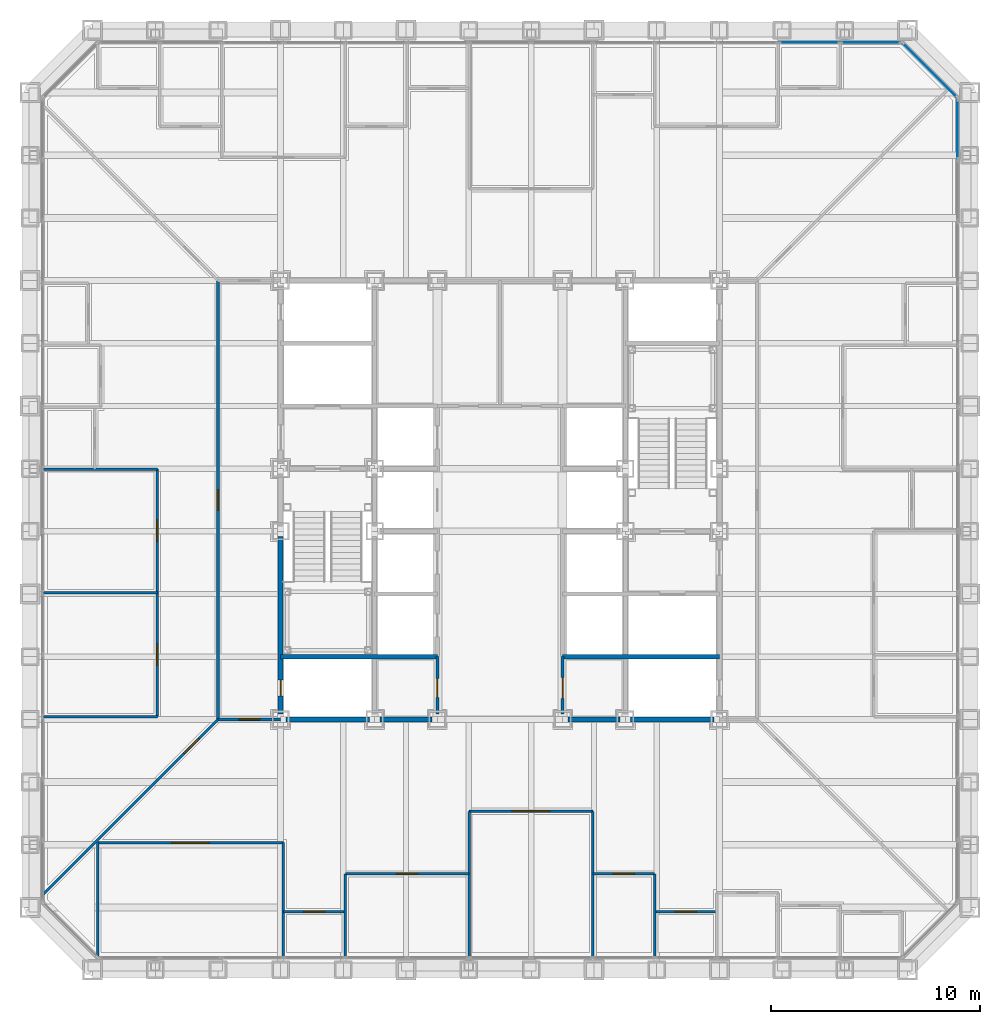
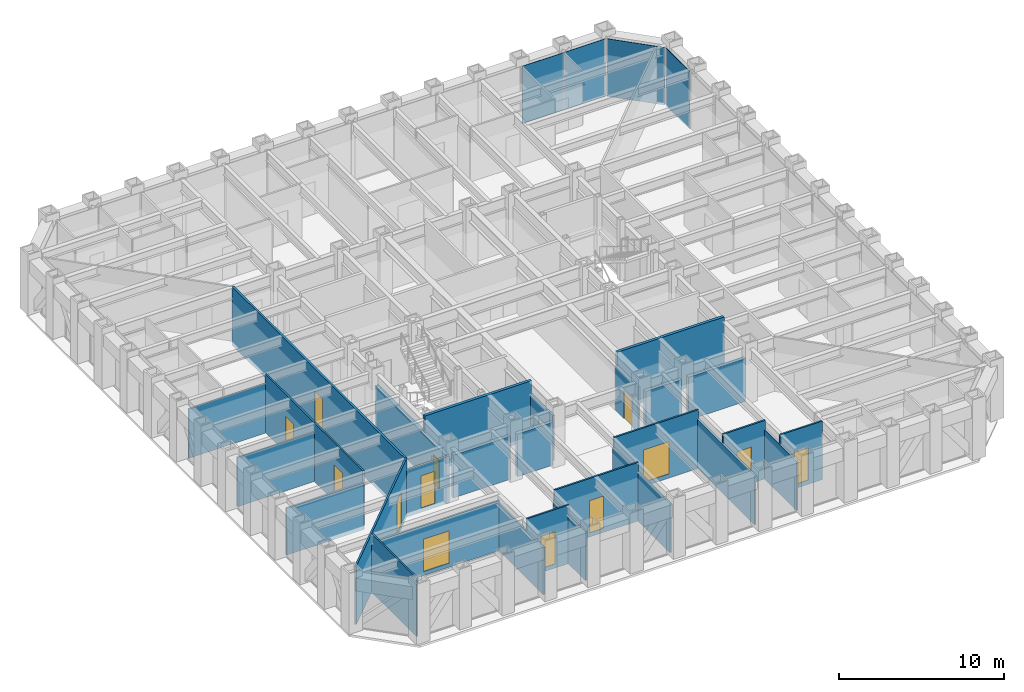
# One storey, part 8 of 17: 29 walls, 14 doors, 4 plates, 14 openings, 3 elements without a shape of their own.
"""IFC4 building model written with IfcOpenShell, lengths in metres."""

from ifc_helpers import new_model, si_unit, direction, frame, frame_2d, origin, origin_2d, place, context, subcontext, project, spatial, rectangle, extrude, material, layer, layer_set, type_object, element, fill, aggregate, save


model = new_model("IFC4")

# Units and contexts
model_context = context("Model", 3, precision=1e-05, world=origin(), true_north=direction((0.0, 1.0)))
body_context = subcontext(model_context, "Body", "Model", "MODEL_VIEW")
ifc_project = project(units=[si_unit("LENGTHUNIT", "METRE"), si_unit("AREAUNIT", "SQUARE_METRE"), si_unit("VOLUMEUNIT", "CUBIC_METRE"), si_unit("PLANEANGLEUNIT", "RADIAN"), si_unit("MASSUNIT", "GRAM", prefix="KILO")], contexts=[model_context])

# Site, building, storey
site_placement = place(None, origin())
site = spatial("IfcSite", under=ifc_project, at=site_placement, CompositionType="ELEMENT")
building_placement = place(site_placement, origin())
building = spatial("IfcBuilding", under=site, at=building_placement, Name="Chuquiago Exchange Tower", CompositionType="ELEMENT")
storey_placement = place(building_placement, frame((0.0, 0.0, 87.300048828125)))
storey = spatial("IfcBuildingStorey", under=building, at=storey_placement, Name="L18", CompositionType="ELEMENT", Elevation=87.300048828125)

# Curtain wall, plate
ifc_material_1 = material(Name="Aluminium curtain wall system", Category="aluminium")
ifc_layer_1 = layer(ifc_material_1, 0.25)
ifc_layer_set_1 = layer_set([ifc_layer_1], Name="CW1 trading floor curtain wall")
curtain_wall_type_1 = type_object("IfcCurtainWallType", Name="CW1 trading floor curtain wall", PredefinedType="NOTDEFINED", material=ifc_layer_set_1)
curtain_wall_1_placement = place(storey_placement, origin())
curtain_wall_1 = element("IfcCurtainWall", 1, at=curtain_wall_1_placement, inside=storey, type_object=curtain_wall_type_1, Name="CW1 curtain wall L18", PredefinedType="NOTDEFINED")
ifc_material_2 = material(Name="Insulated spandrel panel, pale anodised aluminium", Category="aluminium")
ifc_layer_2 = layer(ifc_material_2, 0.031982421875)
ifc_layer_set_2 = layer_set([ifc_layer_2], Name="CW1-P spandrel panel 32")
plate_type_1 = type_object("IfcPlateType", Name="CW1-P spandrel panel 32", PredefinedType="CURTAIN_PANEL", material=ifc_layer_set_2)
plate_1_placement = place(storey_placement, frame((44.39990234375, 40.251953125, -0.22509765625), z_axis=(0.0, 0.0, 1.0), x_axis=(0.0, 1.0, 0.0)))
plate_1 = element("IfcPlate", 2, at=plate_1_placement, type_object=plate_type_1, Name="CW1 panel 13.1", PredefinedType="CURTAIN_PANEL", context=body_context, shape_type="SweptSolid", body=[
    extrude(rectangle(XDim=2.849365234375, YDim=0.031982421875, at=origin_2d()), origin(), (0.0, 0.0, 1.0), 4.264892578125),
])
aggregate(curtain_wall_1, [plate_1])

# Curtain wall, plates
curtain_wall_2_placement = place(storey_placement, origin())
curtain_wall_2 = element("IfcCurtainWall", 3, at=curtain_wall_2_placement, inside=storey, type_object=curtain_wall_type_1, Name="CW1 curtain wall L18", PredefinedType="NOTDEFINED")
plate_2_placement = place(storey_placement, frame((40.251953125, 44.39990234375, -0.22509765625), z_axis=(0.0, 0.0, 1.0), x_axis=(-1.0, 0.0, 0.0)))
plate_2 = element("IfcPlate", 4, at=plate_2_placement, type_object=plate_type_1, Name="CW1 panel 1.1", PredefinedType="CURTAIN_PANEL", context=body_context, shape_type="SweptSolid", body=[
    extrude(rectangle(XDim=2.849365234375, YDim=0.031982421875, at=origin_2d()), origin(), (0.0, 0.0, 1.0), 4.264892578125),
])
plate_3_placement = place(storey_placement, frame((37.308837890625, 44.39990234375, -0.22509765625), z_axis=(0.0, 0.0, 1.0), x_axis=(-1.0, 0.0, 0.0)))
plate_3 = element("IfcPlate", 5, at=plate_3_placement, type_object=plate_type_1, Name="CW1 panel 2.1", PredefinedType="CURTAIN_PANEL", context=body_context, shape_type="SweptSolid", body=[
    extrude(rectangle(XDim=2.88671875, YDim=0.031982421875, at=origin_2d()), origin(), (0.0, 0.0, 1.0), 4.264892578125),
])
aggregate(curtain_wall_2, [plate_2, plate_3])

# Curtain wall, plate
ifc_material_3 = material(Name="Aluminium curtain wall system", Category="aluminium")
ifc_layer_3 = layer(ifc_material_3, 0.199951171875)
ifc_layer_set_3 = layer_set([ifc_layer_3], Name="CW3 facet curtain wall")
curtain_wall_type_2 = type_object("IfcCurtainWallType", Name="CW3 facet curtain wall", PredefinedType="NOTDEFINED", material=ifc_layer_set_3)
curtain_wall_3_placement = place(storey_placement, origin())
curtain_wall_3 = element("IfcCurtainWall", 6, at=curtain_wall_3_placement, inside=storey, type_object=curtain_wall_type_2, Name="CW3 curtain wall L18", PredefinedType="NOTDEFINED")
ifc_material_4 = material(Name="Insulated spandrel panel, pale anodised aluminium", Category="aluminium")
ifc_layer_4 = layer(ifc_material_4, 0.030029296875)
ifc_layer_set_4 = layer_set([ifc_layer_4], Name="CW3-P spandrel panel 30")
plate_type_2 = type_object("IfcPlateType", Name="CW3-P spandrel panel 30", PredefinedType="CURTAIN_PANEL", material=ifc_layer_set_4)
plate_4_placement = place(storey_placement, frame((43.07568359375, 43.07568359375, -0.235107421875), z_axis=(0.0, 0.0, 1.0), x_axis=(-0.707106781187, 0.707106781187, 0.0)))
plate_4 = element("IfcPlate", 7, at=plate_4_placement, type_object=plate_type_2, Name="CW3 panel 1.1", PredefinedType="CURTAIN_PANEL", context=body_context, shape_type="SweptSolid", body=[
    extrude(rectangle(XDim=3.615478515625, YDim=0.030029296875, at=origin_2d()), origin(), (0.0, 0.0, 1.0), 4.27490234375),
])
aggregate(curtain_wall_3, [plate_4])

# Wall, opening, door
ifc_material_5 = material(Name="Concrete masonry, fully grouted", Category="masonry")
ifc_layer_5 = layer(ifc_material_5, 0.25)
ifc_layer_set_5 = layer_set([ifc_layer_5], Name="W1 core wall 250")
wall_type_1 = type_object("IfcWallType", Name="W1 core wall 250", PredefinedType="SOLIDWALL", material=ifc_layer_set_5)
wall_1_placement = place(storey_placement, frame((12.0, 12.25, 0.0), z_axis=(0.0, 0.0, 1.0), x_axis=(0.0, 1.0, 0.0)))
wall_1 = element("IfcWall", 8, at=wall_1_placement, inside=storey, type_object=wall_type_1, Name="CW-L18-00-0", PredefinedType="SOLIDWALL", context=body_context, shape_type="SweptSolid", body=[
    extrude(rectangle(XDim=8.5, YDim=0.25, at=frame_2d((4.25, 0.0))), origin(), (0.0, 0.0, 1.0), 3.11279296875),
])
opening_1_placement = place(wall_1_placement, frame((0.875, 0.0, 0.0)))
opening_1 = element("IfcOpeningElement", 9, at=opening_1_placement, cuts=wall_1, Name="Opening L18-007", PredefinedType="OPENING", context=body_context, shape_type="SweptSolid", body=[
    extrude(rectangle(XDim=0.75, YDim=2.10009765625, at=frame_2d((0.375, 1.050048828125))), frame((0.0, 0.135009765625, 0.0), z_axis=(0.0, -1.0, 0.0), x_axis=(1.0, 0.0, 0.0)), (0.0, 0.0, 1.0), 0.27001953125),
])
ifc_material_6 = material(Name="Steel door, painted", Category="steel")
door_type_1 = type_object("IfcDoorType", Name="D6 riser access door 750x2100", OperationType="SINGLE_SWING_LEFT", PredefinedType="DOOR", material=ifc_material_6)
door_1_placement = place(opening_1_placement, origin())
door_1 = element("IfcDoor", 10, at=door_1_placement, inside=storey, type_object=door_type_1, Name="Riser RW1 door", OperationType="SINGLE_SWING_LEFT", OverallHeight=2.10009765625, OverallWidth=0.75, PredefinedType="DOOR", context=body_context, shape_type="SweptSolid", body=[
    extrude(rectangle(XDim=0.75, YDim=2.10009765625, at=frame_2d((0.375, 1.050048828125))), frame((0.0, 0.02490234375, 0.0), z_axis=(0.0, -1.0, 0.0), x_axis=(1.0, 0.0, 0.0)), (0.0, 0.0, 1.0), 0.050048828125),
])
fill(opening_1, door_1)

# Walls
wall_2_placement = place(storey_placement, frame((12.25, 12.0, 0.0), z_axis=(0.0, 0.0, 1.0), x_axis=(1.0, 0.0, 0.0)))
element("IfcWall", 11, at=wall_2_placement, inside=storey, type_object=wall_type_1, Name="CW-L18-01-0", PredefinedType="SOLIDWALL", context=body_context, shape_type="SweptSolid", body=[
    extrude(rectangle(XDim=4.0, YDim=0.25, at=frame_2d((2.0, 0.0))), origin(), (0.0, 0.0, 1.0), 3.181396484375),
])
for number, where, z_axis, x_axis, name in (
    (12, (16.75, 12.0, 0.0), (0.0, 0.0, 1.0), (1.0, 0.0, 0.0), "CW-L18-01-1"),
    (13, (25.75, 12.0, 0.0), (0.0, 0.0, 1.0), (1.0, 0.0, 0.0), "CW-L18-02-0"),
):
    element("IfcWall", number, at=place(storey_placement, frame(where, z_axis=z_axis, x_axis=x_axis)), inside=storey, type_object=wall_type_1, Name=name, PredefinedType="SOLIDWALL", context=body_context, shape_type="SweptSolid", body=[
        extrude(rectangle(XDim=2.5, YDim=0.25, at=frame_2d((1.25, 0.0))), origin(), (0.0, 0.0, 1.0), 3.181396484375),
    ])
wall_3_placement = place(storey_placement, frame((28.75, 12.0, 0.0), z_axis=(0.0, 0.0, 1.0), x_axis=(1.0, 0.0, 0.0)))
element("IfcWall", 14, at=wall_3_placement, inside=storey, type_object=wall_type_1, Name="CW-L18-02-1", PredefinedType="SOLIDWALL", context=body_context, shape_type="SweptSolid", body=[
    extrude(rectangle(XDim=4.0, YDim=0.25, at=frame_2d((2.0, 0.0))), origin(), (0.0, 0.0, 1.0), 3.181396484375),
])

# Wall, opening, door
ifc_material_7 = material(Name="Gypsum board on steel studs, acoustic insulation", Category="steel")
ifc_layer_6 = layer(ifc_material_7, 0.14990234375)
ifc_layer_set_6 = layer_set([ifc_layer_6], Name="W11 corridor wall 150")
wall_type_2 = type_object("IfcWallType", Name="W11 corridor wall 150", PredefinedType="PARTITIONING", material=ifc_layer_set_6)
wall_4_placement = place(storey_placement, frame((9.0, 12.0, -0.300048828125), z_axis=(0.0, 0.0, 1.0), x_axis=(0.0, 1.0, 0.0)))
wall_4 = element("IfcWall", 15, at=wall_4_placement, inside=storey, type_object=wall_type_2, Name="PW-L18-GW0", PredefinedType="PARTITIONING", context=body_context, shape_type="SweptSolid", body=[
    extrude(rectangle(XDim=21.0, YDim=0.14990234375, at=frame_2d((10.5, 0.0))), origin(), (0.0, 0.0, 1.0), 4.340087890625),
])
opening_2_placement = place(wall_4_placement, frame((10.0, 0.0, 0.300048828125)))
opening_2 = element("IfcOpeningElement", 16, at=opening_2_placement, cuts=wall_4, Name="Opening L18-047", PredefinedType="OPENING", context=body_context, shape_type="SweptSolid", body=[
    extrude(rectangle(XDim=1.0, YDim=2.39990234375, at=frame_2d((0.5, 1.199951171875))), frame((0.0, 0.0849609375, 0.0), z_axis=(0.0, -1.0, 0.0), x_axis=(1.0, 0.0, 0.0)), (0.0, 0.0, 1.0), 0.169921875),
])
ifc_material_8 = material(Name="Timber door, laminate faced", Category="wood")
door_type_2 = type_object("IfcDoorType", Name="D9 room door 1000x2400", OperationType="SINGLE_SWING_LEFT", PredefinedType="DOOR", material=ifc_material_8)
door_2_placement = place(opening_2_placement, origin())
door_2 = element("IfcDoor", 17, at=door_2_placement, inside=storey, type_object=door_type_2, Name="Team area door", OperationType="SINGLE_SWING_LEFT", OverallHeight=2.39990234375, OverallWidth=1.0, PredefinedType="DOOR", context=body_context, shape_type="SweptSolid", body=[
    extrude(rectangle(XDim=1.0, YDim=2.39990234375, at=frame_2d((0.5, 1.199951171875))), frame((0.0, 0.02490234375, 0.0), z_axis=(0.0, -1.0, 0.0), x_axis=(1.0, 0.0, 0.0)), (0.0, 0.0, 1.0), 0.050048828125),
])
fill(opening_2, door_2)

wall_5_placement = place(storey_placement, frame((9.0, 12.0, -0.300048828125), z_axis=(0.0, 0.0, 1.0), x_axis=(1.0, 0.0, 0.0)))
wall_5 = element("IfcWall", 18, at=wall_5_placement, inside=storey, type_object=wall_type_2, Name="PW-L18-GWS0", PredefinedType="PARTITIONING", context=body_context, shape_type="SweptSolid", body=[
    extrude(rectangle(XDim=3.0, YDim=0.14990234375, at=frame_2d((1.5, 0.0))), origin(), (0.0, 0.0, 1.0), 3.4814453125),
])
opening_3_placement = place(wall_5_placement, frame((1.0, 0.0, 0.300048828125)))
opening_3 = element("IfcOpeningElement", 19, at=opening_3_placement, cuts=wall_5, Name="Opening L18-049", PredefinedType="OPENING", context=body_context, shape_type="SweptSolid", body=[
    extrude(rectangle(XDim=1.0, YDim=2.39990234375, at=frame_2d((0.5, 1.199951171875))), frame((0.0, 0.0849609375, 0.0), z_axis=(0.0, -1.0, 0.0), x_axis=(1.0, 0.0, 0.0)), (0.0, 0.0, 1.0), 0.169921875),
])
door_3_placement = place(opening_3_placement, origin())
door_3 = element("IfcDoor", 20, at=door_3_placement, inside=storey, type_object=door_type_2, Name="Team area door", OperationType="SINGLE_SWING_RIGHT", OverallHeight=2.39990234375, OverallWidth=1.0, PredefinedType="DOOR", context=body_context, shape_type="SweptSolid", body=[
    extrude(rectangle(XDim=1.0, YDim=2.39990234375, at=frame_2d((0.5, 1.199951171875))), frame((0.0, 0.02490234375, 0.0), z_axis=(0.0, -1.0, 0.0), x_axis=(1.0, 0.0, 0.0)), (0.0, 0.0, 1.0), 0.050048828125),
])
fill(opening_3, door_3)

# Walls
ifc_material_9 = material(Name="Concrete masonry, fully grouted", Category="masonry")
ifc_layer_7 = layer(ifc_material_9, 0.199951171875)
ifc_layer_set_7 = layer_set([ifc_layer_7], Name="W2 shaft wall 200")
wall_type_3 = type_object("IfcWallType", Name="W2 shaft wall 200", PredefinedType="SOLIDWALL", material=ifc_layer_set_7)
for number, where, z_axis, x_axis, name in (
    (21, (12.0, 15.0, 0.0), (0.0, 0.0, 1.0), (1.0, 0.0, 0.0), "CW-L18-03-0"),
    (22, (25.5, 15.0, 0.0), (0.0, 0.0, 1.0), (1.0, 0.0, 0.0), "CW-L18-04-0"),
):
    element("IfcWall", number, at=place(storey_placement, frame(where, z_axis=z_axis, x_axis=x_axis)), inside=storey, type_object=wall_type_3, Name=name, PredefinedType="SOLIDWALL", context=body_context, shape_type="SweptSolid", body=[
        extrude(rectangle(XDim=7.5, YDim=0.199951171875, at=frame_2d((3.75, 0.0))), origin(), (0.0, 0.0, 1.0), 4.33984375),
    ])

# Wall, opening, door
ifc_material_10 = material(Name="Gypsum board on steel studs", Category="steel")
ifc_layer_8 = layer(ifc_material_10, 0.14990234375)
ifc_layer_set_8 = layer_set([ifc_layer_8], Name="W3 core partition 150")
wall_type_4 = type_object("IfcWallType", Name="W3 core partition 150", PredefinedType="PARTITIONING", material=ifc_layer_set_8)
wall_6_placement = place(storey_placement, frame((19.5, 12.25, 0.0), z_axis=(0.0, 0.0, 1.0), x_axis=(0.0, 1.0, 0.0)))
wall_6 = element("IfcWall", 23, at=wall_6_placement, inside=storey, type_object=wall_type_4, Name="CW-L18-18-0", PredefinedType="PARTITIONING", context=body_context, shape_type="SweptSolid", body=[
    extrude(rectangle(XDim=2.75, YDim=0.14990234375, at=frame_2d((1.375, 0.0))), origin(), (0.0, 0.0, 1.0), 3.364501953125),
])
opening_4_placement = place(wall_6_placement, frame((0.800048828125, 0.0, 0.0)))
opening_4 = element("IfcOpeningElement", 24, at=opening_4_placement, cuts=wall_6, Name="Opening L18-014", PredefinedType="OPENING", context=body_context, shape_type="SweptSolid", body=[
    extrude(rectangle(XDim=0.89990234375, YDim=2.10009765625, at=frame_2d((0.449951171875, 1.050048828125))), frame((0.0, 0.0849609375, 0.0), z_axis=(0.0, -1.0, 0.0), x_axis=(1.0, 0.0, 0.0)), (0.0, 0.0, 1.0), 0.169921875),
])
ifc_material_11 = material(Name="Timber door, laminate faced", Category="wood")
door_type_3 = type_object("IfcDoorType", Name="D7 toilet door 900x2100", OperationType="SINGLE_SWING_LEFT", PredefinedType="DOOR", material=ifc_material_11)
door_4_placement = place(opening_4_placement, frame((0.89990234375, 0.0, 0.0), z_axis=(0.0, 0.0, 1.0), x_axis=(-1.0, 0.0, 0.0)))
door_4 = element("IfcDoor", 25, at=door_4_placement, inside=storey, type_object=door_type_3, Name="Cleaner door", OperationType="SINGLE_SWING_RIGHT", OverallHeight=2.10009765625, OverallWidth=0.89990234375, PredefinedType="DOOR", context=body_context, shape_type="SweptSolid", body=[
    extrude(rectangle(XDim=0.89990234375, YDim=2.10009765625, at=frame_2d((0.449951171875, 1.050048828125))), frame((0.0, 0.02490234375, 0.0), z_axis=(0.0, -1.0, 0.0), x_axis=(1.0, 0.0, 0.0)), (0.0, 0.0, 1.0), 0.050048828125),
])
fill(opening_4, door_4)

wall_7_placement = place(storey_placement, frame((25.5, 12.25, 0.0), z_axis=(0.0, 0.0, 1.0), x_axis=(0.0, 1.0, 0.0)))
wall_7 = element("IfcWall", 26, at=wall_7_placement, inside=storey, type_object=wall_type_4, Name="CW-L18-21-0", PredefinedType="PARTITIONING", context=body_context, shape_type="SweptSolid", body=[
    extrude(rectangle(XDim=2.75, YDim=0.14990234375, at=frame_2d((1.375, 0.0))), origin(), (0.0, 0.0, 1.0), 3.364501953125),
])
opening_5_placement = place(wall_7_placement, frame((0.75, 0.0, 0.0)))
opening_5 = element("IfcOpeningElement", 27, at=opening_5_placement, cuts=wall_7, Name="Opening L18-013", PredefinedType="OPENING", context=body_context, shape_type="SweptSolid", body=[
    extrude(rectangle(XDim=1.0, YDim=2.10009765625, at=frame_2d((0.5, 1.050048828125))), frame((0.0, 0.0849609375, 0.0), z_axis=(0.0, -1.0, 0.0), x_axis=(1.0, 0.0, 0.0)), (0.0, 0.0, 1.0), 0.169921875),
])
ifc_material_12 = material(Name="Timber door, laminate faced", Category="wood")
door_type_4 = type_object("IfcDoorType", Name="D8 accessible toilet door 1000x2100", OperationType="SLIDING_TO_LEFT", PredefinedType="DOOR", material=ifc_material_12)
door_5_placement = place(opening_5_placement, origin())
door_5 = element("IfcDoor", 28, at=door_5_placement, inside=storey, type_object=door_type_4, Name="Accessible WC door", OperationType="SLIDING_TO_LEFT", OverallHeight=2.10009765625, OverallWidth=1.0, PredefinedType="DOOR", context=body_context, shape_type="SweptSolid", body=[
    extrude(rectangle(XDim=1.0, YDim=2.10009765625, at=frame_2d((0.5, 1.050048828125))), frame((0.0, 0.02490234375, 0.0), z_axis=(0.0, -1.0, 0.0), x_axis=(1.0, 0.0, 0.0)), (0.0, 0.0, 1.0), 0.050048828125),
])
fill(opening_5, door_5)

# Walls
ifc_material_13 = material(Name="Gypsum board on steel studs", Category="steel")
ifc_layer_9 = layer(ifc_material_13, 0.1201171875)
ifc_layer_set_9 = layer_set([ifc_layer_9], Name="W4 partition 120")
wall_type_5 = type_object("IfcWallType", Name="W4 partition 120", PredefinedType="PARTITIONING", material=ifc_layer_set_9)
wall_8_placement = place(storey_placement, frame((3.24853515625, 0.666015625, -0.300048828125), z_axis=(0.0, 0.0, 1.0), x_axis=(0.0, 1.0, 0.0)))
element("IfcWall", 29, at=wall_8_placement, inside=storey, type_object=wall_type_5, Name="PW-L18-S00325", PredefinedType="PARTITIONING", context=body_context, shape_type="SweptSolid", body=[
    extrude(rectangle(XDim=5.43408203125, YDim=0.1201171875, at=frame_2d((2.717041015625, 0.0))), origin(), (0.0, 0.0, 1.0), 4.340087890625),
])
wall_9_placement = place(storey_placement, frame((12.1337890625, 0.657470703125, -0.300048828125), z_axis=(0.0, 0.0, 1.0), x_axis=(0.0, 1.0, 0.0)))
element("IfcWall", 30, at=wall_9_placement, inside=storey, type_object=wall_type_5, Name="PW-L18-S01213", PredefinedType="PARTITIONING", context=body_context, shape_type="SweptSolid", body=[
    extrude(rectangle(XDim=5.442626953125, YDim=0.1201171875, at=frame_2d((2.72119140625, 0.0))), origin(), (0.0, 0.0, 1.0), 3.4814453125),
])
wall_10_placement = place(storey_placement, frame((15.095703125, 0.657470703125, -0.300048828125), z_axis=(0.0, 0.0, 1.0), x_axis=(0.0, 1.0, 0.0)))
element("IfcWall", 31, at=wall_10_placement, inside=storey, type_object=wall_type_5, Name="PW-L18-S01510", PredefinedType="PARTITIONING", context=body_context, shape_type="SweptSolid", body=[
    extrude(rectangle(XDim=3.942626953125, YDim=0.1201171875, at=frame_2d((1.97119140625, 0.0))), origin(), (0.0, 0.0, 1.0), 3.646484375),
])
for number, where, z_axis, x_axis, name in (
    (32, (21.01904296875, 0.657470703125, -0.300048828125), (0.0, 0.0, 1.0), (0.0, 1.0, 0.0), "PW-L18-S02102"),
    (33, (26.942626953125, 0.657470703125, -0.300048828125), (0.0, 0.0, 1.0), (0.0, 1.0, 0.0), "PW-L18-S02694"),
):
    element("IfcWall", number, at=place(storey_placement, frame(where, z_axis=z_axis, x_axis=x_axis)), inside=storey, type_object=wall_type_5, Name=name, PredefinedType="PARTITIONING", context=body_context, shape_type="SweptSolid", body=[
        extrude(rectangle(XDim=6.942626953125, YDim=0.1201171875, at=frame_2d((3.47119140625, 0.0))), origin(), (0.0, 0.0, 1.0), 3.646484375),
    ])
wall_11_placement = place(storey_placement, frame((29.904296875, 0.657470703125, -0.300048828125), z_axis=(0.0, 0.0, 1.0), x_axis=(0.0, 1.0, 0.0)))
element("IfcWall", 34, at=wall_11_placement, inside=storey, type_object=wall_type_5, Name="PW-L18-S02990", PredefinedType="PARTITIONING", context=body_context, shape_type="SweptSolid", body=[
    extrude(rectangle(XDim=3.942626953125, YDim=0.1201171875, at=frame_2d((1.97119140625, 0.0))), origin(), (0.0, 0.0, 1.0), 3.646484375),
])

# Wall, opening, door
wall_12_placement = place(storey_placement, frame((3.24853515625, 6.10009765625, -0.300048828125), z_axis=(0.0, 0.0, 1.0), x_axis=(1.0, 0.0, 0.0)))
wall_12 = element("IfcWall", 35, at=wall_12_placement, inside=storey, type_object=wall_type_5, Name="PW-L18-SF00325", PredefinedType="PARTITIONING", context=body_context, shape_type="SweptSolid", body=[
    extrude(rectangle(XDim=8.88525390625, YDim=0.1201171875, at=frame_2d((4.442626953125, 0.0))), origin(), (0.0, 0.0, 1.0), 3.722900390625),
])
opening_6_placement = place(wall_12_placement, frame((3.542724609375, 0.0, 0.300048828125)))
opening_6 = element("IfcOpeningElement", 36, at=opening_6_placement, cuts=wall_12, Name="Opening L18-019", PredefinedType="OPENING", context=body_context, shape_type="SweptSolid", body=[
    extrude(rectangle(XDim=1.800048828125, YDim=2.39990234375, at=frame_2d((0.89990234375, 1.199951171875))), frame((0.0, 0.070068359375, 0.0), z_axis=(0.0, -1.0, 0.0), x_axis=(1.0, 0.0, 0.0)), (0.0, 0.0, 1.0), 0.14013671875),
])
ifc_material_14 = material(Name="Timber door pair, laminate faced", Category="wood")
door_type_5 = type_object("IfcDoorType", Name="D15 double room door 1800x2400", OperationType="DOUBLE_DOOR_DOUBLE_SWING", PredefinedType="DOOR", material=ifc_material_14)
door_6_placement = place(opening_6_placement, origin())
door_6 = element("IfcDoor", 37, at=door_6_placement, inside=storey, type_object=door_type_5, Name="Broker lounge door", OperationType="DOUBLE_DOOR_DOUBLE_SWING", OverallHeight=2.39990234375, OverallWidth=1.800048828125, PredefinedType="DOOR", context=body_context, shape_type="SweptSolid", body=[
    extrude(rectangle(XDim=1.800048828125, YDim=2.39990234375, at=frame_2d((0.89990234375, 1.199951171875))), frame((0.0, 0.02490234375, 0.0), z_axis=(0.0, -1.0, 0.0), x_axis=(1.0, 0.0, 0.0)), (0.0, 0.0, 1.0), 0.050048828125),
])
fill(opening_6, door_6)

wall_13_placement = place(storey_placement, frame((12.1337890625, 2.800048828125, -0.300048828125), z_axis=(0.0, 0.0, 1.0), x_axis=(1.0, 0.0, 0.0)))
wall_13 = element("IfcWall", 38, at=wall_13_placement, inside=storey, type_object=wall_type_5, Name="PW-L18-SF01213", PredefinedType="PARTITIONING", context=body_context, shape_type="SweptSolid", body=[
    extrude(rectangle(XDim=2.9619140625, YDim=0.1201171875, at=frame_2d((1.48095703125, 0.0))), origin(), (0.0, 0.0, 1.0), 4.340087890625),
])
opening_7_placement = place(wall_13_placement, frame((0.98095703125, 0.0, 0.300048828125)))
opening_7 = element("IfcOpeningElement", 39, at=opening_7_placement, cuts=wall_13, Name="Opening L18-020", PredefinedType="OPENING", context=body_context, shape_type="SweptSolid", body=[
    extrude(rectangle(XDim=1.0, YDim=2.39990234375, at=frame_2d((0.5, 1.199951171875))), frame((0.0, 0.070068359375, 0.0), z_axis=(0.0, -1.0, 0.0), x_axis=(1.0, 0.0, 0.0)), (0.0, 0.0, 1.0), 0.14013671875),
])
ifc_material_15 = material(Name="Timber frame door, full height glazed panel", Category="wood")
door_type_6 = type_object("IfcDoorType", Name="D14 glazed meeting room door 1000x2400", OperationType="SINGLE_SWING_LEFT", PredefinedType="DOOR", material=ifc_material_15)
door_7_placement = place(opening_7_placement, frame((1.0, 0.0, 0.0), z_axis=(0.0, 0.0, 1.0), x_axis=(-1.0, 0.0, 0.0)))
door_7 = element("IfcDoor", 40, at=door_7_placement, inside=storey, type_object=door_type_6, Name="Focus room door", OperationType="SINGLE_SWING_LEFT", OverallHeight=2.39990234375, OverallWidth=1.0, PredefinedType="DOOR", context=body_context, shape_type="SweptSolid", body=[
    extrude(rectangle(XDim=1.0, YDim=2.39990234375, at=frame_2d((0.5, 1.199951171875))), frame((0.0, 0.02490234375, 0.0), z_axis=(0.0, -1.0, 0.0), x_axis=(1.0, 0.0, 0.0)), (0.0, 0.0, 1.0), 0.050048828125),
])
fill(opening_7, door_7)

wall_14_placement = place(storey_placement, frame((15.095703125, 4.60009765625, -0.300048828125), z_axis=(0.0, 0.0, 1.0), x_axis=(1.0, 0.0, 0.0)))
wall_14 = element("IfcWall", 41, at=wall_14_placement, inside=storey, type_object=wall_type_5, Name="PW-L18-SF01510", PredefinedType="PARTITIONING", context=body_context, shape_type="SweptSolid", body=[
    extrude(rectangle(XDim=5.92333984375, YDim=0.1201171875, at=frame_2d((2.961669921875, 0.0))), origin(), (0.0, 0.0, 1.0), 4.340087890625),
])
opening_8_placement = place(wall_14_placement, frame((2.4619140625, 0.0, 0.300048828125)))
opening_8 = element("IfcOpeningElement", 42, at=opening_8_placement, cuts=wall_14, Name="Opening L18-021", PredefinedType="OPENING", context=body_context, shape_type="SweptSolid", body=[
    extrude(rectangle(XDim=1.0, YDim=2.39990234375, at=frame_2d((0.5, 1.199951171875))), frame((0.0, 0.070068359375, 0.0), z_axis=(0.0, -1.0, 0.0), x_axis=(1.0, 0.0, 0.0)), (0.0, 0.0, 1.0), 0.14013671875),
])
door_8_placement = place(opening_8_placement, frame((1.0, 0.0, 0.0), z_axis=(0.0, 0.0, 1.0), x_axis=(-1.0, 0.0, 0.0)))
door_8 = element("IfcDoor", 43, at=door_8_placement, inside=storey, type_object=door_type_2, Name="Office door", OperationType="SINGLE_SWING_LEFT", OverallHeight=2.39990234375, OverallWidth=1.0, PredefinedType="DOOR", context=body_context, shape_type="SweptSolid", body=[
    extrude(rectangle(XDim=1.0, YDim=2.39990234375, at=frame_2d((0.5, 1.199951171875))), frame((0.0, 0.02490234375, 0.0), z_axis=(0.0, -1.0, 0.0), x_axis=(1.0, 0.0, 0.0)), (0.0, 0.0, 1.0), 0.050048828125),
])
fill(opening_8, door_8)

wall_15_placement = place(storey_placement, frame((21.01904296875, 7.60009765625, -0.300048828125), z_axis=(0.0, 0.0, 1.0), x_axis=(1.0, 0.0, 0.0)))
wall_15 = element("IfcWall", 44, at=wall_15_placement, inside=storey, type_object=wall_type_5, Name="PW-L18-SF02102", PredefinedType="PARTITIONING", context=body_context, shape_type="SweptSolid", body=[
    extrude(rectangle(XDim=5.923583984375, YDim=0.1201171875, at=frame_2d((2.9619140625, 0.0))), origin(), (0.0, 0.0, 1.0), 4.340087890625),
])
opening_9_placement = place(wall_15_placement, frame((2.061767578125, 0.0, 0.300048828125)))
opening_9 = element("IfcOpeningElement", 45, at=opening_9_placement, cuts=wall_15, Name="Opening L18-022", PredefinedType="OPENING", context=body_context, shape_type="SweptSolid", body=[
    extrude(rectangle(XDim=1.800048828125, YDim=2.39990234375, at=frame_2d((0.89990234375, 1.199951171875))), frame((0.0, 0.070068359375, 0.0), z_axis=(0.0, -1.0, 0.0), x_axis=(1.0, 0.0, 0.0)), (0.0, 0.0, 1.0), 0.14013671875),
])
door_9_placement = place(opening_9_placement, origin())
door_9 = element("IfcDoor", 46, at=door_9_placement, inside=storey, type_object=door_type_5, Name="Training room door", OperationType="DOUBLE_DOOR_DOUBLE_SWING", OverallHeight=2.39990234375, OverallWidth=1.800048828125, PredefinedType="DOOR", context=body_context, shape_type="SweptSolid", body=[
    extrude(rectangle(XDim=1.800048828125, YDim=2.39990234375, at=frame_2d((0.89990234375, 1.199951171875))), frame((0.0, 0.02490234375, 0.0), z_axis=(0.0, -1.0, 0.0), x_axis=(1.0, 0.0, 0.0)), (0.0, 0.0, 1.0), 0.050048828125),
])
fill(opening_9, door_9)

wall_16_placement = place(storey_placement, frame((26.942626953125, 4.60009765625, -0.300048828125), z_axis=(0.0, 0.0, 1.0), x_axis=(1.0, 0.0, 0.0)))
wall_16 = element("IfcWall", 47, at=wall_16_placement, inside=storey, type_object=wall_type_5, Name="PW-L18-SF02694", PredefinedType="PARTITIONING", context=body_context, shape_type="SweptSolid", body=[
    extrude(rectangle(XDim=2.961669921875, YDim=0.1201171875, at=frame_2d((1.48095703125, 0.0))), origin(), (0.0, 0.0, 1.0), 4.340087890625),
])
opening_10_placement = place(wall_16_placement, frame((0.98095703125, 0.0, 0.300048828125)))
opening_10 = element("IfcOpeningElement", 48, at=opening_10_placement, cuts=wall_16, Name="Opening L18-023", PredefinedType="OPENING", context=body_context, shape_type="SweptSolid", body=[
    extrude(rectangle(XDim=1.0, YDim=2.39990234375, at=frame_2d((0.5, 1.199951171875))), frame((0.0, 0.070068359375, 0.0), z_axis=(0.0, -1.0, 0.0), x_axis=(1.0, 0.0, 0.0)), (0.0, 0.0, 1.0), 0.14013671875),
])
door_10_placement = place(opening_10_placement, frame((1.0, 0.0, 0.0), z_axis=(0.0, 0.0, 1.0), x_axis=(-1.0, 0.0, 0.0)))
door_10 = element("IfcDoor", 49, at=door_10_placement, inside=storey, type_object=door_type_2, Name="Office door", OperationType="SINGLE_SWING_RIGHT", OverallHeight=2.39990234375, OverallWidth=1.0, PredefinedType="DOOR", context=body_context, shape_type="SweptSolid", body=[
    extrude(rectangle(XDim=1.0, YDim=2.39990234375, at=frame_2d((0.5, 1.199951171875))), frame((0.0, 0.02490234375, 0.0), z_axis=(0.0, -1.0, 0.0), x_axis=(1.0, 0.0, 0.0)), (0.0, 0.0, 1.0), 0.050048828125),
])
fill(opening_10, door_10)

wall_17_placement = place(storey_placement, frame((29.904296875, 2.800048828125, -0.300048828125), z_axis=(0.0, 0.0, 1.0), x_axis=(1.0, 0.0, 0.0)))
wall_17 = element("IfcWall", 50, at=wall_17_placement, inside=storey, type_object=wall_type_5, Name="PW-L18-SF02990", PredefinedType="PARTITIONING", context=body_context, shape_type="SweptSolid", body=[
    extrude(rectangle(XDim=2.9619140625, YDim=0.1201171875, at=frame_2d((1.48095703125, 0.0))), origin(), (0.0, 0.0, 1.0), 4.340087890625),
])
opening_11_placement = place(wall_17_placement, frame((0.98095703125, 0.0, 0.300048828125)))
opening_11 = element("IfcOpeningElement", 51, at=opening_11_placement, cuts=wall_17, Name="Opening L18-024", PredefinedType="OPENING", context=body_context, shape_type="SweptSolid", body=[
    extrude(rectangle(XDim=1.0, YDim=2.39990234375, at=frame_2d((0.5, 1.199951171875))), frame((0.0, 0.070068359375, 0.0), z_axis=(0.0, -1.0, 0.0), x_axis=(1.0, 0.0, 0.0)), (0.0, 0.0, 1.0), 0.14013671875),
])
door_11_placement = place(opening_11_placement, frame((1.0, 0.0, 0.0), z_axis=(0.0, 0.0, 1.0), x_axis=(-1.0, 0.0, 0.0)))
door_11 = element("IfcDoor", 52, at=door_11_placement, inside=storey, type_object=door_type_6, Name="Focus room door", OperationType="SINGLE_SWING_RIGHT", OverallHeight=2.39990234375, OverallWidth=1.0, PredefinedType="DOOR", context=body_context, shape_type="SweptSolid", body=[
    extrude(rectangle(XDim=1.0, YDim=2.39990234375, at=frame_2d((0.5, 1.199951171875))), frame((0.0, 0.02490234375, 0.0), z_axis=(0.0, -1.0, 0.0), x_axis=(1.0, 0.0, 0.0)), (0.0, 0.0, 1.0), 0.050048828125),
])
fill(opening_11, door_11)

# Walls
wall_18_placement = place(storey_placement, frame((0.657470703125, 12.1337890625, -0.300048828125), z_axis=(0.0, 0.0, 1.0), x_axis=(1.0, 0.0, 0.0)))
element("IfcWall", 53, at=wall_18_placement, inside=storey, type_object=wall_type_5, Name="PW-L18-W01213", PredefinedType="PARTITIONING", context=body_context, shape_type="SweptSolid", body=[
    extrude(rectangle(XDim=5.442626953125, YDim=0.1201171875, at=frame_2d((2.72119140625, 0.0))), origin(), (0.0, 0.0, 1.0), 3.4814453125),
])
for number, where, z_axis, x_axis, name in (
    (54, (0.657470703125, 18.057373046875, -0.300048828125), (0.0, 0.0, 1.0), (1.0, 0.0, 0.0), "PW-L18-W01806"),
    (55, (0.657470703125, 23.98095703125, -0.300048828125), (0.0, 0.0, 1.0), (1.0, 0.0, 0.0), "PW-L18-W02398"),
):
    element("IfcWall", number, at=place(storey_placement, frame(where, z_axis=z_axis, x_axis=x_axis)), inside=storey, type_object=wall_type_5, Name=name, PredefinedType="PARTITIONING", context=body_context, shape_type="SweptSolid", body=[
        extrude(rectangle(XDim=5.442626953125, YDim=0.1201171875, at=frame_2d((2.72119140625, 0.0))), origin(), (0.0, 0.0, 1.0), 3.646484375),
    ])

# Wall, opening, door
wall_19_placement = place(storey_placement, frame((6.10009765625, 12.1337890625, -0.300048828125), z_axis=(0.0, 0.0, 1.0), x_axis=(0.0, 1.0, 0.0)))
wall_19 = element("IfcWall", 56, at=wall_19_placement, inside=storey, type_object=wall_type_5, Name="PW-L18-WF01213", PredefinedType="PARTITIONING", context=body_context, shape_type="SweptSolid", body=[
    extrude(rectangle(XDim=5.923583984375, YDim=0.1201171875, at=frame_2d((2.9619140625, 0.0))), origin(), (0.0, 0.0, 1.0), 4.340087890625),
])
opening_12_placement = place(wall_19_placement, frame((2.4619140625, 0.0, 0.300048828125)))
opening_12 = element("IfcOpeningElement", 57, at=opening_12_placement, cuts=wall_19, Name="Opening L18-042", PredefinedType="OPENING", context=body_context, shape_type="SweptSolid", body=[
    extrude(rectangle(XDim=1.0, YDim=2.39990234375, at=frame_2d((0.5, 1.199951171875))), frame((0.0, 0.070068359375, 0.0), z_axis=(0.0, -1.0, 0.0), x_axis=(1.0, 0.0, 0.0)), (0.0, 0.0, 1.0), 0.14013671875),
])
door_12_placement = place(opening_12_placement, origin())
door_12 = element("IfcDoor", 58, at=door_12_placement, inside=storey, type_object=door_type_2, Name="Market data room door", OperationType="SINGLE_SWING_LEFT", OverallHeight=2.39990234375, OverallWidth=1.0, PredefinedType="DOOR", context=body_context, shape_type="SweptSolid", body=[
    extrude(rectangle(XDim=1.0, YDim=2.39990234375, at=frame_2d((0.5, 1.199951171875))), frame((0.0, 0.02490234375, 0.0), z_axis=(0.0, -1.0, 0.0), x_axis=(1.0, 0.0, 0.0)), (0.0, 0.0, 1.0), 0.050048828125),
])
fill(opening_12, door_12)

wall_20_placement = place(storey_placement, frame((6.10009765625, 18.057373046875, -0.300048828125), z_axis=(0.0, 0.0, 1.0), x_axis=(0.0, 1.0, 0.0)))
wall_20 = element("IfcWall", 59, at=wall_20_placement, inside=storey, type_object=wall_type_5, Name="PW-L18-WF01806", PredefinedType="PARTITIONING", context=body_context, shape_type="SweptSolid", body=[
    extrude(rectangle(XDim=5.923583984375, YDim=0.1201171875, at=frame_2d((2.9619140625, 0.0))), origin(), (0.0, 0.0, 1.0), 4.340087890625),
])
opening_13_placement = place(wall_20_placement, frame((2.461669921875, 0.0, 0.300048828125)))
opening_13 = element("IfcOpeningElement", 60, at=opening_13_placement, cuts=wall_20, Name="Opening L18-043", PredefinedType="OPENING", context=body_context, shape_type="SweptSolid", body=[
    extrude(rectangle(XDim=1.0, YDim=2.39990234375, at=frame_2d((0.5, 1.199951171875))), frame((0.0, 0.070068359375, 0.0), z_axis=(0.0, -1.0, 0.0), x_axis=(1.0, 0.0, 0.0)), (0.0, 0.0, 1.0), 0.14013671875),
])
door_13_placement = place(opening_13_placement, origin())
door_13 = element("IfcDoor", 61, at=door_13_placement, inside=storey, type_object=door_type_6, Name="Conference room door", OperationType="SINGLE_SWING_LEFT", OverallHeight=2.39990234375, OverallWidth=1.0, PredefinedType="DOOR", context=body_context, shape_type="SweptSolid", body=[
    extrude(rectangle(XDim=1.0, YDim=2.39990234375, at=frame_2d((0.5, 1.199951171875))), frame((0.0, 0.02490234375, 0.0), z_axis=(0.0, -1.0, 0.0), x_axis=(1.0, 0.0, 0.0)), (0.0, 0.0, 1.0), 0.050048828125),
])
fill(opening_13, door_13)

wall_21_placement = place(storey_placement, frame((9.0, 12.0, -0.300048828125), z_axis=(0.0, 0.0, 1.0), x_axis=(-0.707106781187, -0.707106781187, 0.0)))
wall_21 = element("IfcWall", 62, at=wall_21_placement, inside=storey, type_object=wall_type_5, Name="PW-L18-QSW", PredefinedType="PARTITIONING", context=body_context, shape_type="SweptSolid", body=[
    extrude(rectangle(XDim=11.84228515625, YDim=0.1201171875, at=frame_2d((5.921142578125, 0.0))), origin(), (0.0, 0.0, 1.0), 4.340087890625),
])
opening_14_placement = place(wall_21_placement, frame((1.300048828125, 0.0, 0.300048828125)))
opening_14 = element("IfcOpeningElement", 63, at=opening_14_placement, cuts=wall_21, Name="Opening L18-053", PredefinedType="OPENING", context=body_context, shape_type="SweptSolid", body=[
    extrude(rectangle(XDim=1.0, YDim=2.39990234375, at=frame_2d((0.5, 1.199951171875))), frame((0.0, 0.070068359375, 0.0), z_axis=(0.0, -1.0, 0.0), x_axis=(1.0, 0.0, 0.0)), (0.0, 0.0, 1.0), 0.14013671875),
])
door_14_placement = place(opening_14_placement, frame((1.0, 0.0, 0.0), z_axis=(0.0, 0.0, 1.0), x_axis=(-1.0, 0.0, 0.0)))
door_14 = element("IfcDoor", 64, at=door_14_placement, inside=storey, type_object=door_type_2, Name="Team area door", OperationType="SINGLE_SWING_RIGHT", OverallHeight=2.39990234375, OverallWidth=1.0, PredefinedType="DOOR", context=body_context, shape_type="SweptSolid", body=[
    extrude(rectangle(XDim=1.0, YDim=2.39990234375, at=frame_2d((0.5, 1.199951171875))), frame((0.0, 0.02490234375, 0.0), z_axis=(0.0, -1.0, 0.0), x_axis=(1.0, 0.0, 0.0)), (0.0, 0.0, 1.0), 0.050048828125),
])
fill(opening_14, door_14)

save(model, "model.ifc")
